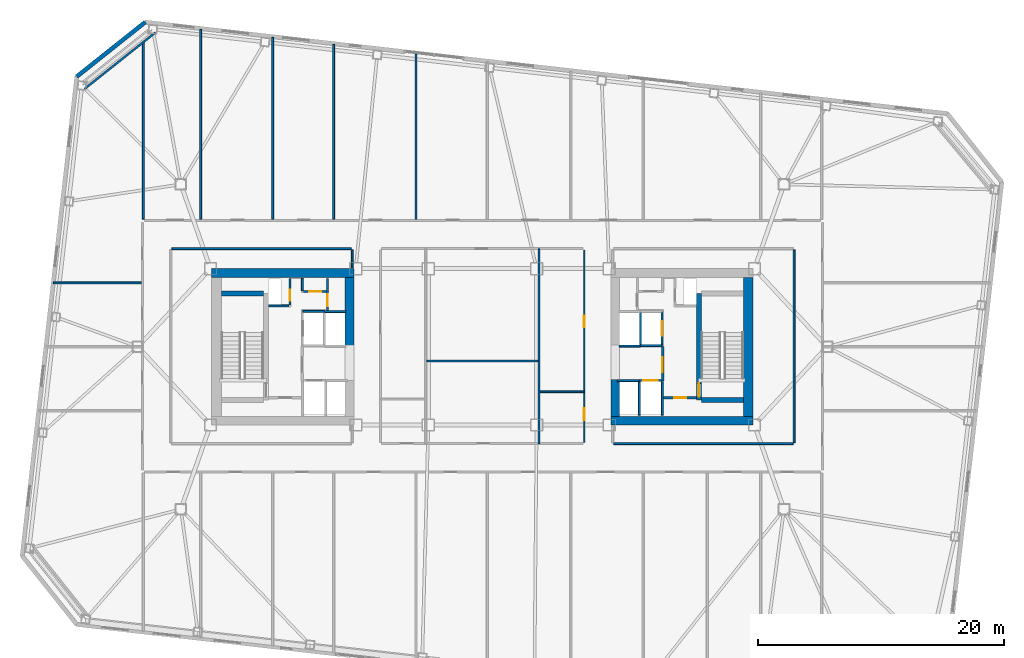
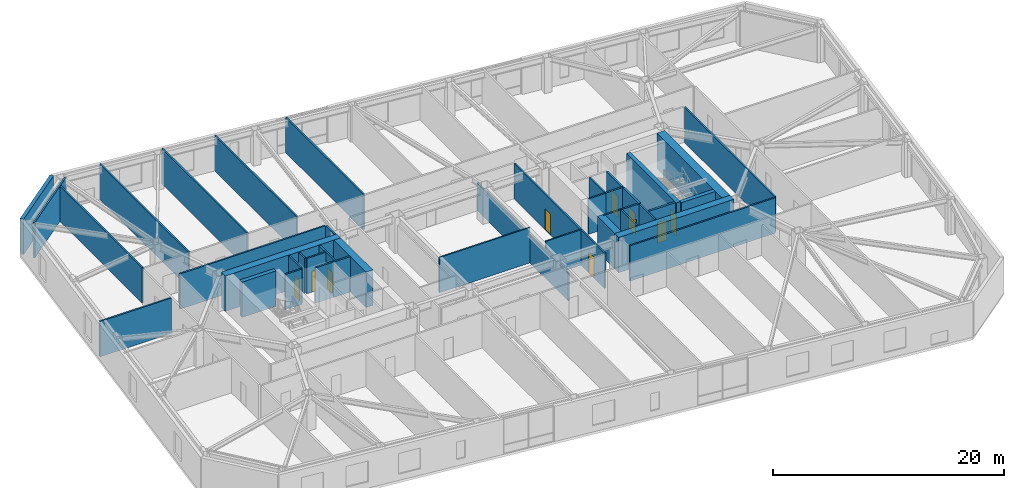
# One storey, part 13 of 21: 41 walls, 10 doors, 10 openings.
"""IFC4 building model written with IfcOpenShell, lengths in metres."""

from ifc_helpers import new_model, si_unit, direction, frame, frame_2d, origin, place, context, subcontext, project, spatial, rectangle, extrude, material, layer, layer_set, type_object, element, fill, save


model = new_model("IFC4")

# Units and contexts
model_context = context("Model", 3, precision=1e-05, world=origin(), true_north=direction((0.0, 1.0)))
body_context = subcontext(model_context, "Body", "Model", "MODEL_VIEW")
ifc_project = project(units=[si_unit("LENGTHUNIT", "METRE"), si_unit("AREAUNIT", "SQUARE_METRE"), si_unit("VOLUMEUNIT", "CUBIC_METRE"), si_unit("PLANEANGLEUNIT", "RADIAN"), si_unit("MASSUNIT", "GRAM", prefix="KILO")], contexts=[model_context])

# Site, building, storey
site_placement = place(None, origin())
site = spatial("IfcSite", under=ifc_project, at=site_placement, CompositionType="ELEMENT")
building_placement = place(site_placement, origin())
building = spatial("IfcBuilding", under=site, at=building_placement, Name="Tavrogorsk Clinical Tower", CompositionType="ELEMENT")
storey_placement = place(building_placement, frame((0.0, 0.0, 129.39990234375)))
storey = spatial("IfcBuildingStorey", under=building, at=storey_placement, Name="L29", CompositionType="ELEMENT", Elevation=129.39990234375)

# Wall, opening, door
ifc_material_1 = material(Name="Concrete B60", Category="concrete")
ifc_layer_1 = layer(ifc_material_1, 0.199951171875)
ifc_layer_set_1 = layer_set([ifc_layer_1], Name="Concrete B60")
wall_type_1 = type_object("IfcWallType", Name="CoreFireWall_200", PredefinedType="SOLIDWALL", material=ifc_layer_set_1)
wall_1_placement = place(storey_placement, frame((14.719970703125, -4.139892578125, 0.0), z_axis=(0.0, 0.0, 1.0), x_axis=(1.0, 0.0, 0.0)))
wall_1 = element("IfcWall", 1, at=wall_1_placement, inside=storey, type_object=wall_type_1, Name="L29 Core East South Core Room Fire Wall", PredefinedType="SOLIDWALL", context=body_context, shape_type="SweptSolid", body=[
    extrude(rectangle(XDim=2.659912109375, YDim=0.199951171875, at=frame_2d((1.330078125, 0.0))), origin(), (0.0, 0.0, 1.0), 3.739990234375),
])
opening_1_placement = place(wall_1_placement, frame((0.8798828125, 0.0, 0.0)))
opening_1 = element("IfcOpeningElement", 2, at=opening_1_placement, cuts=wall_1, Name="Opening ID-02", PredefinedType="OPENING", context=body_context, shape_type="SweptSolid", body=[
    extrude(rectangle(XDim=0.949951171875, YDim=2.199951171875, at=frame_2d((0.47509765625, 1.10009765625))), frame((0.0, 0.10986328125, 0.0), z_axis=(0.0, -1.0, 0.0), x_axis=(1.0, 0.0, 0.0)), (0.0, 0.0, 1.0), 0.219970703125),
])
ifc_material_2 = material(Name="Laminated timber leaf on aluminium frame", Category="wood")
door_type_1 = type_object("IfcDoorType", Name="InteriorDoor_ID02_950", OperationType="NOTDEFINED", PredefinedType="DOOR", material=ifc_material_2)
door_1_placement = place(opening_1_placement, origin())
door_1 = element("IfcDoor", 3, at=door_1_placement, inside=storey, type_object=door_type_1, Name="L29 Core East South Core Room Door", OperationType="SINGLE_SWING_LEFT", OverallHeight=2.199951171875, OverallWidth=0.949951171875, PredefinedType="DOOR", context=body_context, shape_type="SweptSolid", body=[
    extrude(rectangle(XDim=0.949951171875, YDim=2.199951171875, at=frame_2d((0.47509765625, 1.10009765625))), frame((0.0, 0.02490234375, 0.0), z_axis=(0.0, -1.0, 0.0), x_axis=(1.0, 0.0, 0.0)), (0.0, 0.0, 1.0), 0.050048828125),
])
fill(opening_1, door_1)

wall_2_placement = place(storey_placement, frame((14.639892578125, -2.780029296875, 0.0), z_axis=(0.0, 0.0, 1.0), x_axis=(0.0, 1.0, 0.0)))
wall_2 = element("IfcWall", 4, at=wall_2_placement, inside=storey, type_object=wall_type_1, Name="L29 Core East Firefighting Lobby Fire Wall", PredefinedType="SOLIDWALL", context=body_context, shape_type="SweptSolid", body=[
    extrude(rectangle(XDim=2.820068359375, YDim=0.199951171875, at=frame_2d((1.41015625, 0.0))), origin(), (0.0, 0.0, 1.0), 3.739990234375),
])
opening_2_placement = place(wall_2_placement, frame((0.72998046875, 0.0, 0.0)))
opening_2 = element("IfcOpeningElement", 5, at=opening_2_placement, cuts=wall_2, Name="Opening FD-01", PredefinedType="OPENING", context=body_context, shape_type="SweptSolid", body=[
    extrude(rectangle(XDim=1.199951171875, YDim=2.199951171875, at=frame_2d((0.60009765625, 1.10009765625))), frame((0.0, 0.10986328125, 0.0), z_axis=(0.0, -1.0, 0.0), x_axis=(1.0, 0.0, 0.0)), (0.0, 0.0, 1.0), 0.219970703125),
])
ifc_material_3 = material(Name="Galvanised steel fire-rated door assembly", Category="steel")
door_type_2 = type_object("IfcDoorType", Name="FireDoor_FD01_1200", OperationType="NOTDEFINED", PredefinedType="DOOR", material=ifc_material_3)
door_2_placement = place(opening_2_placement, origin())
door_2 = element("IfcDoor", 6, at=door_2_placement, inside=storey, type_object=door_type_2, Name="L29 Core East Firefighting Lobby Entry Door", OperationType="SINGLE_SWING_RIGHT", OverallHeight=2.199951171875, OverallWidth=1.199951171875, PredefinedType="DOOR", context=body_context, shape_type="SweptSolid", body=[
    extrude(rectangle(XDim=1.199951171875, YDim=2.199951171875, at=frame_2d((0.60009765625, 1.10009765625))), frame((0.0, 0.02490234375, 0.0), z_axis=(0.0, -1.0, 0.0), x_axis=(1.0, 0.0, 0.0)), (0.0, 0.0, 1.0), 0.050048828125),
])
fill(opening_2, door_2)

# Walls
ifc_material_4 = material(Name="Lightweight concrete blockwork B15", Category="masonry")
ifc_layer_2 = layer(ifc_material_4, 0.139892578125)
ifc_layer_set_2 = layer_set([ifc_layer_2], Name="Lightweight concrete blockwork B15")
wall_type_2 = type_object("IfcWallType", Name="PartitionWall_140", PredefinedType="PARTITIONING", material=ifc_layer_set_2)
wall_3_placement = place(storey_placement, frame((4.60009765625, -7.864990234375, 0.0), z_axis=(0.0, 0.0, 1.0), x_axis=(0.0, 1.0, 0.0)))
element("IfcWall", 7, at=wall_3_placement, inside=storey, type_object=wall_type_2, Name="L29 Central Spine Partition 2", PredefinedType="PARTITIONING", context=body_context, shape_type="SweptSolid", body=[
    extrude(rectangle(XDim=15.830078125, YDim=0.139892578125, at=frame_2d((7.9150390625, 0.0))), origin(), (0.0, 0.0, 1.0), 2.93505859375),
])
wall_4_placement = place(storey_placement, frame((-4.52490234375, -1.14990234375, 0.0), z_axis=(0.0, 0.0, 1.0), x_axis=(1.0, 0.0, 0.0)))
element("IfcWall", 8, at=wall_4_placement, inside=storey, type_object=wall_type_2, Name="L29 Central Spine Partition 3", PredefinedType="PARTITIONING", context=body_context, shape_type="SweptSolid", body=[
    extrude(rectangle(XDim=9.0498046875, YDim=0.139892578125, at=frame_2d((4.52490234375, 0.0))), origin(), (0.0, 0.0, 1.0), 3.739990234375),
])
wall_5_placement = place(storey_placement, frame((4.675048828125, -3.64990234375, 0.0), z_axis=(0.0, 0.0, 1.0), x_axis=(1.0, 0.0, 0.0)))
element("IfcWall", 9, at=wall_5_placement, inside=storey, type_object=wall_type_2, Name="L29 Central Spine Partition 5", PredefinedType="PARTITIONING", context=body_context, shape_type="SweptSolid", body=[
    extrude(rectangle(XDim=3.58984375, YDim=0.139892578125, at=frame_2d((1.794921875, 0.0))), origin(), (0.0, 0.0, 1.0), 3.739990234375),
])

# Wall, opening, door
ifc_material_5 = material(Name="Lightweight concrete blockwork B15", Category="masonry")
ifc_layer_3 = layer(ifc_material_5, 0.159912109375)
ifc_layer_set_3 = layer_set([ifc_layer_3], Name="Lightweight concrete blockwork B15")
wall_type_3 = type_object("IfcWallType", Name="PartitionWall_160", PredefinedType="PARTITIONING", material=ifc_layer_set_3)
wall_6_placement = place(storey_placement, frame((-12.580078125, 2.9599609375, 0.0), z_axis=(0.0, 0.0, 1.0), x_axis=(0.0, 1.0, 0.0)))
wall_6 = element("IfcWall", 10, at=wall_6_placement, inside=storey, type_object=wall_type_3, Name="L29 Core West Linen Closet Wall", PredefinedType="PARTITIONING", context=body_context, shape_type="SweptSolid", body=[
    extrude(rectangle(XDim=2.60009765625, YDim=0.159912109375, at=frame_2d((1.300048828125, 0.0))), origin(), (0.0, 0.0, 1.0), 3.739990234375),
])
opening_3_placement = place(wall_6_placement, frame((0.35009765625, 0.0, 0.0)))
opening_3 = element("IfcOpeningElement", 11, at=opening_3_placement, cuts=wall_6, Name="Opening ID-02", PredefinedType="OPENING", context=body_context, shape_type="SweptSolid", body=[
    extrude(rectangle(XDim=0.949951171875, YDim=2.199951171875, at=frame_2d((0.47509765625, 1.10009765625))), frame((0.0, 0.08984375, 0.0), z_axis=(0.0, -1.0, 0.0), x_axis=(1.0, 0.0, 0.0)), (0.0, 0.0, 1.0), 0.179931640625),
])
door_3_placement = place(opening_3_placement, origin())
door_3 = element("IfcDoor", 12, at=door_3_placement, inside=storey, type_object=door_type_1, Name="L29 Core West Linen Closet Door", OperationType="SINGLE_SWING_LEFT", OverallHeight=2.199951171875, OverallWidth=0.949951171875, PredefinedType="DOOR", context=body_context, shape_type="SweptSolid", body=[
    extrude(rectangle(XDim=0.949951171875, YDim=2.199951171875, at=frame_2d((0.47509765625, 1.10009765625))), frame((0.0, 0.02490234375, 0.0), z_axis=(0.0, -1.0, 0.0), x_axis=(1.0, 0.0, 0.0)), (0.0, 0.0, 1.0), 0.050048828125),
])
fill(opening_3, door_3)

wall_7_placement = place(storey_placement, frame((-14.554931640625, 4.47998046875, 0.0), z_axis=(0.0, 0.0, 1.0), x_axis=(1.0, 0.0, 0.0)))
wall_7 = element("IfcWall", 13, at=wall_7_placement, inside=storey, type_object=wall_type_3, Name="L29 Core West Housekeeping South Wall", PredefinedType="PARTITIONING", context=body_context, shape_type="SweptSolid", body=[
    extrude(rectangle(XDim=1.889892578125, YDim=0.159912109375, at=frame_2d((0.94482421875, 0.0))), origin(), (0.0, 0.0, 1.0), 3.739990234375),
])
opening_4_placement = place(wall_7_placement, frame((0.5, 0.0, 0.0)))
opening_4 = element("IfcOpeningElement", 14, at=opening_4_placement, cuts=wall_7, Name="Opening ID-02", PredefinedType="OPENING", context=body_context, shape_type="SweptSolid", body=[
    extrude(rectangle(XDim=0.949951171875, YDim=2.199951171875, at=frame_2d((0.47509765625, 1.10009765625))), frame((0.0, 0.08984375, 0.0), z_axis=(0.0, -1.0, 0.0), x_axis=(1.0, 0.0, 0.0)), (0.0, 0.0, 1.0), 0.179931640625),
])
door_4_placement = place(opening_4_placement, origin())
door_4 = element("IfcDoor", 15, at=door_4_placement, inside=storey, type_object=door_type_1, Name="L29 Core West Housekeeping Closet Door", OperationType="SINGLE_SWING_RIGHT", OverallHeight=2.199951171875, OverallWidth=0.949951171875, PredefinedType="DOOR", context=body_context, shape_type="SweptSolid", body=[
    extrude(rectangle(XDim=0.949951171875, YDim=2.199951171875, at=frame_2d((0.47509765625, 1.10009765625))), frame((0.0, 0.02490234375, 0.0), z_axis=(0.0, -1.0, 0.0), x_axis=(1.0, 0.0, 0.0)), (0.0, 0.0, 1.0), 0.050048828125),
])
fill(opening_4, door_4)

# Walls
wall_8_placement = place(storey_placement, frame((-14.639892578125, 4.56494140625, 0.0), z_axis=(0.0, 0.0, 1.0), x_axis=(0.0, 1.0, 0.0)))
element("IfcWall", 16, at=wall_8_placement, inside=storey, type_object=wall_type_3, Name="L29 Core West Housekeeping East Wall", PredefinedType="PARTITIONING", context=body_context, shape_type="SweptSolid", body=[
    extrude(rectangle(XDim=0.9951171875, YDim=0.159912109375, at=frame_2d((0.49755859375, 0.0))), origin(), (0.0, 0.0, 1.0), 3.739990234375),
])
wall_9_placement = place(storey_placement, frame((-26.5712890625, 25.534912109375, 0.0), z_axis=(0.0, 0.0, 1.0), x_axis=(-0.782617962887, -0.622502308564, 0.0)))
element("IfcWall", 17, at=wall_9_placement, inside=storey, type_object=wall_type_3, Name="L29 Corner Exoskeleton Brace Furring Wall 3", PredefinedType="PARTITIONING", context=body_context, shape_type="SweptSolid", body=[
    extrude(rectangle(XDim=7.35400390625, YDim=0.159912109375, at=frame_2d((3.677001953125, 0.0))), origin(), (0.0, 0.0, 1.0), 3.739990234375),
])
wall_10_placement = place(storey_placement, frame((10.6650390625, -7.8701171875, 0.0), z_axis=(0.0, 0.0, 1.0), x_axis=(1.0, 0.0, 0.0)))
element("IfcWall", 18, at=wall_10_placement, inside=storey, type_object=wall_type_3, Name="L29 Corridor Partition 08", PredefinedType="PARTITIONING", context=body_context, shape_type="SweptSolid", body=[
    extrude(rectangle(XDim=14.570068359375, YDim=0.159912109375, at=frame_2d((7.28515625, 0.0))), origin(), (0.0, 0.0, 1.0), 3.739990234375),
])
wall_11_placement = place(storey_placement, frame((25.320068359375, -7.784912109375, 0.0), z_axis=(0.0, 0.0, 1.0), x_axis=(0.0, 1.0, 0.0)))
element("IfcWall", 19, at=wall_11_placement, inside=storey, type_object=wall_type_3, Name="L29 Corridor Partition 09", PredefinedType="PARTITIONING", context=body_context, shape_type="SweptSolid", body=[
    extrude(rectangle(XDim=15.669921875, YDim=0.159912109375, at=frame_2d((7.8349609375, 0.0))), origin(), (0.0, 0.0, 1.0), 3.739990234375),
])

# Wall, openings, doors
wall_12_placement = place(storey_placement, frame((8.27001953125, -7.784912109375, 0.0), z_axis=(0.0, 0.0, 1.0), x_axis=(0.0, 1.0, 0.0)))
wall_12 = element("IfcWall", 20, at=wall_12_placement, inside=storey, type_object=wall_type_3, Name="L29 Corridor Partition 10", PredefinedType="PARTITIONING", context=body_context, shape_type="SweptSolid", body=[
    extrude(rectangle(XDim=15.669921875, YDim=0.159912109375, at=frame_2d((7.8349609375, 0.0))), origin(), (0.0, 0.0, 1.0), 3.739990234375),
])
opening_5_placement = place(wall_12_placement, frame((1.8291015625, 0.0, 0.0)))
opening_5 = element("IfcOpeningElement", 21, at=opening_5_placement, cuts=wall_12, Name="Opening ID-02", PredefinedType="OPENING", context=body_context, shape_type="SweptSolid", body=[
    extrude(rectangle(XDim=0.949951171875, YDim=2.199951171875, at=frame_2d((0.47509765625, 1.10009765625))), frame((0.0, 0.08984375, 0.0), z_axis=(0.0, -1.0, 0.0), x_axis=(1.0, 0.0, 0.0)), (0.0, 0.0, 1.0), 0.179931640625),
])
opening_6_placement = place(wall_12_placement, frame((9.36083984375, 0.0, 0.0)))
opening_6 = element("IfcOpeningElement", 22, at=opening_6_placement, cuts=wall_12, Name="Opening ID-02", PredefinedType="OPENING", context=body_context, shape_type="SweptSolid", body=[
    extrude(rectangle(XDim=0.949951171875, YDim=2.199951171875, at=frame_2d((0.47509765625, 1.10009765625))), frame((0.0, 0.08984375, 0.0), z_axis=(0.0, -1.0, 0.0), x_axis=(1.0, 0.0, 0.0)), (0.0, 0.0, 1.0), 0.179931640625),
])
door_5_placement = place(opening_5_placement, origin())
door_5 = element("IfcDoor", 23, at=door_5_placement, inside=storey, type_object=door_type_1, Name="L29 Staff & Visitor Accessible WC Door", OperationType="SINGLE_SWING_RIGHT", OverallHeight=2.199951171875, OverallWidth=0.949951171875, PredefinedType="DOOR", context=body_context, shape_type="SweptSolid", body=[
    extrude(rectangle(XDim=0.949951171875, YDim=2.199951171875, at=frame_2d((0.47509765625, 1.10009765625))), frame((0.0, 0.02490234375, 0.0), z_axis=(0.0, -1.0, 0.0), x_axis=(1.0, 0.0, 0.0)), (0.0, 0.0, 1.0), 0.050048828125),
])
fill(opening_5, door_5)
door_6_placement = place(opening_6_placement, origin())
door_6 = element("IfcDoor", 24, at=door_6_placement, inside=storey, type_object=door_type_1, Name="L29 Attending Physician Office Door", OperationType="SINGLE_SWING_LEFT", OverallHeight=2.199951171875, OverallWidth=0.949951171875, PredefinedType="DOOR", context=body_context, shape_type="SweptSolid", body=[
    extrude(rectangle(XDim=0.949951171875, YDim=2.199951171875, at=frame_2d((0.47509765625, 1.10009765625))), frame((0.0, 0.02490234375, 0.0), z_axis=(0.0, -1.0, 0.0), x_axis=(1.0, 0.0, 0.0)), (0.0, 0.0, 1.0), 0.050048828125),
])
fill(opening_6, door_6)

# Walls
wall_13_placement = place(storey_placement, frame((-10.580078125, 6.419921875, 0.0), z_axis=(0.0, 0.0, 1.0), x_axis=(0.0, 1.0, 0.0)))
element("IfcWall", 25, at=wall_13_placement, inside=storey, type_object=wall_type_3, Name="L29 Corridor Partition 15", PredefinedType="PARTITIONING", context=body_context, shape_type="SweptSolid", body=[
    extrude(rectangle(XDim=1.465087890625, YDim=0.159912109375, at=frame_2d((0.732421875, 0.0))), origin(), (0.0, 0.0, 1.0), 3.739990234375),
])
wall_14_placement = place(storey_placement, frame((-10.6650390625, 7.969970703125, 0.0), z_axis=(0.0, 0.0, 1.0), x_axis=(-1.0, 0.0, 0.0)))
element("IfcWall", 26, at=wall_14_placement, inside=storey, type_object=wall_type_3, Name="L29 Corridor Partition 16", PredefinedType="PARTITIONING", context=body_context, shape_type="SweptSolid", body=[
    extrude(rectangle(XDim=14.570068359375, YDim=0.159912109375, at=frame_2d((7.28515625, 0.0))), origin(), (0.0, 0.0, 1.0), 3.739990234375),
])
wall_15_placement = place(storey_placement, frame((-27.550048828125, 10.364990234375, 0.0), z_axis=(0.0, 0.0, 1.0), x_axis=(0.0, 1.0, 0.0)))
element("IfcWall", 27, at=wall_15_placement, inside=storey, type_object=wall_type_3, Name="L29 NW Wing Closure Partition", PredefinedType="PARTITIONING", context=body_context, shape_type="SweptSolid", body=[
    extrude(rectangle(XDim=14.40869140625, YDim=0.159912109375, at=frame_2d((7.204345703125, 0.0))), origin(), (0.0, 0.0, 1.0), 3.739990234375),
])
wall_16_placement = place(storey_placement, frame((-22.89990234375, 10.364990234375, 0.0), z_axis=(0.0, 0.0, 1.0), x_axis=(0.0, 1.0, 0.0)))
element("IfcWall", 28, at=wall_16_placement, inside=storey, type_object=wall_type_3, Name="L29 North Room Partition 1", PredefinedType="PARTITIONING", context=body_context, shape_type="SweptSolid", body=[
    extrude(rectangle(XDim=15.4365234375, YDim=0.159912109375, at=frame_2d((7.71826171875, 0.0))), origin(), (0.0, 0.0, 1.0), 3.739990234375),
])
wall_17_placement = place(storey_placement, frame((-12.10009765625, 10.364990234375, 0.0), z_axis=(0.0, 0.0, 1.0), x_axis=(0.0, 1.0, 0.0)))
element("IfcWall", 29, at=wall_17_placement, inside=storey, type_object=wall_type_3, Name="L29 North Room Partition 2", PredefinedType="PARTITIONING", context=body_context, shape_type="SweptSolid", body=[
    extrude(rectangle(XDim=14.2060546875, YDim=0.159912109375, at=frame_2d((7.10302734375, 0.0))), origin(), (0.0, 0.0, 1.0), 3.739990234375),
])
wall_18_placement = place(storey_placement, frame((-17.050048828125, 10.364990234375, 0.0), z_axis=(0.0, 0.0, 1.0), x_axis=(0.0, 1.0, 0.0)))
element("IfcWall", 30, at=wall_18_placement, inside=storey, type_object=wall_type_3, Name="L29 North Sub-Partition 2", PredefinedType="PARTITIONING", context=body_context, shape_type="SweptSolid", body=[
    extrude(rectangle(XDim=14.77001953125, YDim=0.159912109375, at=frame_2d((7.385009765625, 0.0))), origin(), (0.0, 0.0, 1.0), 3.739990234375),
])
wall_19_placement = place(storey_placement, frame((-5.39990234375, 10.364990234375, 0.0), z_axis=(0.0, 0.0, 1.0), x_axis=(0.0, 1.0, 0.0)))
element("IfcWall", 31, at=wall_19_placement, inside=storey, type_object=wall_type_3, Name="L29 North Sub-Partition 3", PredefinedType="PARTITIONING", context=body_context, shape_type="SweptSolid", body=[
    extrude(rectangle(XDim=13.442626953125, YDim=0.159912109375, at=frame_2d((6.72119140625, 0.0))), origin(), (0.0, 0.0, 1.0), 3.739990234375),
])
wall_20_placement = place(storey_placement, frame((-34.857177734375, 5.199951171875, 0.0), z_axis=(0.0, 0.0, 1.0), x_axis=(1.0, 0.0, 0.0)))
element("IfcWall", 32, at=wall_20_placement, inside=storey, type_object=wall_type_3, Name="L29 W Wing Divider 3", PredefinedType="PARTITIONING", context=body_context, shape_type="SweptSolid", body=[
    extrude(rectangle(XDim=7.14208984375, YDim=0.159912109375, at=frame_2d((3.571044921875, 0.0))), origin(), (0.0, 0.0, 1.0), 3.739990234375),
])
ifc_material_6 = material(Name="Precast concrete B45 with limestone cladding", Category="masonry")
ifc_layer_4 = layer(ifc_material_6, 0.340087890625)
ifc_layer_set_4 = layer_set([ifc_layer_4], Name="Precast concrete B45 with limestone cladding")
wall_type_4 = type_object("IfcWallType", Name="PrecastLimestoneWall_340", PredefinedType="STANDARD", material=ifc_layer_set_4)
wall_21_placement = place(storey_placement, frame((-27.40087890625, 26.384765625, 0.0), z_axis=(0.0, 0.0, 1.0), x_axis=(-0.78261359446, -0.622507800567, 0.0)))
element("IfcWall", 33, at=wall_21_placement, inside=storey, type_object=wall_type_4, Name="L29 Chamfered Corner Wall 3", PredefinedType="STANDARD", context=body_context, shape_type="SweptSolid", body=[
    extrude(rectangle(XDim=7.113525390625, YDim=0.340087890625, at=frame_2d((3.556640625, 0.0))), origin(), (0.0, 0.0, 1.0), 3.739990234375),
])
ifc_material_7 = material(Name="Lightweight concrete blockwork B25", Category="masonry")
ifc_layer_5 = layer(ifc_material_7, 0.159912109375)
ifc_layer_set_5 = layer_set([ifc_layer_5], Name="Lightweight concrete blockwork B25")
wall_type_5 = type_object("IfcWallType", Name="ShaftWall_160", PredefinedType="PARTITIONING", material=ifc_layer_set_5)
wall_22_placement = place(storey_placement, frame((-14.60009765625, 2.8798828125, 0.0), z_axis=(0.0, 0.0, 1.0), x_axis=(1.0, 0.0, 0.0)))
element("IfcWall", 34, at=wall_22_placement, inside=storey, type_object=wall_type_5, Name="L29 FFL-W Shaft North Wall", PredefinedType="PARTITIONING", context=body_context, shape_type="SweptSolid", body=[
    extrude(rectangle(XDim=1.760009765625, YDim=0.159912109375, at=frame_2d((0.8798828125, 0.0))), origin(), (0.0, 0.0, 1.0), 3.739990234375),
])
wall_23_placement = place(storey_placement, frame((-12.820068359375, 2.860107421875, 0.0), z_axis=(0.0, 0.0, 1.0), x_axis=(1.0, 0.0, 0.0)))
element("IfcWall", 35, at=wall_23_placement, inside=storey, type_object=wall_type_5, Name="L29 LP-H1 High-Zone Lift Rear Wall", PredefinedType="PARTITIONING", context=body_context, shape_type="SweptSolid", body=[
    extrude(rectangle(XDim=1.719970703125, YDim=0.159912109375, at=frame_2d((0.85986328125, 0.0))), origin(), (0.0, 0.0, 1.0), 3.739990234375),
])

# Wall, opening, door
wall_24_placement = place(storey_placement, frame((14.60009765625, 0.1201171875, 0.0), z_axis=(0.0, 0.0, 1.0), x_axis=(0.0, 1.0, 0.0)))
wall_24 = element("IfcWall", 36, at=wall_24_placement, inside=storey, type_object=wall_type_5, Name="L29 FFL-E Firefighting Lift Front Wall", PredefinedType="PARTITIONING", context=body_context, shape_type="SweptSolid", body=[
    extrude(rectangle(XDim=2.739990234375, YDim=0.159912109375, at=frame_2d((1.3701171875, 0.0))), origin(), (0.0, 0.0, 1.0), 3.739990234375),
])
opening_7_placement = place(wall_24_placement, frame((0.77001953125, 0.0, 0.0)))
opening_7 = element("IfcOpeningElement", 37, at=opening_7_placement, cuts=wall_24, Name="Opening LD", PredefinedType="OPENING", context=body_context, shape_type="SweptSolid", body=[
    extrude(rectangle(XDim=1.199951171875, YDim=2.199951171875, at=frame_2d((0.60009765625, 1.10009765625))), frame((0.0, 0.08984375, 0.0), z_axis=(0.0, -1.0, 0.0), x_axis=(1.0, 0.0, 0.0)), (0.0, 0.0, 1.0), 0.179931640625),
])
ifc_material_8 = material(Name="Brushed stainless steel AISI 304 sliding doors", Category="steel")
door_type_3 = type_object("IfcDoorType", Name="LiftLandingDoor_LD_1200", OperationType="SLIDING_TO_LEFT", PredefinedType="DOOR", material=ifc_material_8)
door_7_placement = place(opening_7_placement, origin())
door_7 = element("IfcDoor", 38, at=door_7_placement, inside=storey, type_object=door_type_3, Name="L29 FFL-E Sliding Lift Landing Door", OperationType="SLIDING_TO_LEFT", OverallHeight=2.199951171875, OverallWidth=1.199951171875, PredefinedType="DOOR", context=body_context, shape_type="SweptSolid", body=[
    extrude(rectangle(XDim=1.199951171875, YDim=2.199951171875, at=frame_2d((0.60009765625, 1.10009765625))), frame((0.0, 0.02490234375, 0.0), z_axis=(0.0, -1.0, 0.0), x_axis=(1.0, 0.0, 0.0)), (0.0, 0.0, 1.0), 0.050048828125),
])
fill(opening_7, door_7)

# Walls
wall_25_placement = place(storey_placement, frame((12.840087890625, 0.10009765625, 0.0), z_axis=(0.0, 0.0, 1.0), x_axis=(1.0, 0.0, 0.0)))
element("IfcWall", 39, at=wall_25_placement, inside=storey, type_object=wall_type_5, Name="L29 FFL-E Shaft South Wall", PredefinedType="PARTITIONING", context=body_context, shape_type="SweptSolid", body=[
    extrude(rectangle(XDim=1.760009765625, YDim=0.159912109375, at=frame_2d((0.8798828125, 0.0))), origin(), (0.0, 0.0, 1.0), 3.739990234375),
])
wall_26_placement = place(storey_placement, frame((12.840087890625, 0.179931640625, 0.0), z_axis=(0.0, 0.0, 1.0), x_axis=(0.0, 1.0, 0.0)))
element("IfcWall", 40, at=wall_26_placement, inside=storey, type_object=wall_type_5, Name="L29 FFL-E Shaft Back Wall", PredefinedType="PARTITIONING", context=body_context, shape_type="SweptSolid", body=[
    extrude(rectangle(XDim=2.6201171875, YDim=0.159912109375, at=frame_2d((1.31005859375, 0.0))), origin(), (0.0, 0.0, 1.0), 3.739990234375),
])

# Wall, opening, door
wall_27_placement = place(storey_placement, frame((12.77001953125, -2.75, 0.0), z_axis=(0.0, 0.0, 1.0), x_axis=(1.0, 0.0, 0.0)))
wall_27 = element("IfcWall", 41, at=wall_27_placement, inside=storey, type_object=wall_type_5, Name="L29 LP-L2 Lift Shaft Portal Wall", PredefinedType="PARTITIONING", context=body_context, shape_type="SweptSolid", body=[
    extrude(rectangle(XDim=1.760009765625, YDim=0.159912109375, at=frame_2d((0.8798828125, 0.0))), origin(), (0.0, 0.0, 1.0), 3.739990234375),
])
opening_8_placement = place(wall_27_placement, frame((0.280029296875, 0.0, 0.0)))
opening_8 = element("IfcOpeningElement", 42, at=opening_8_placement, cuts=wall_27, Name="Opening LD", PredefinedType="OPENING", context=body_context, shape_type="SweptSolid", body=[
    extrude(rectangle(XDim=1.199951171875, YDim=2.199951171875, at=frame_2d((0.60009765625, 1.10009765625))), frame((0.0, 0.08984375, 0.0), z_axis=(0.0, -1.0, 0.0), x_axis=(1.0, 0.0, 0.0)), (0.0, 0.0, 1.0), 0.179931640625),
])
door_8_placement = place(opening_8_placement, origin())
door_8 = element("IfcDoor", 43, at=door_8_placement, inside=storey, type_object=door_type_3, Name="L29 LP-L2 Sliding Lift Landing Door", OperationType="SLIDING_TO_LEFT", OverallHeight=2.199951171875, OverallWidth=1.199951171875, PredefinedType="DOOR", context=body_context, shape_type="SweptSolid", body=[
    extrude(rectangle(XDim=1.199951171875, YDim=2.199951171875, at=frame_2d((0.60009765625, 1.10009765625))), frame((0.0, 0.02490234375, 0.0), z_axis=(0.0, -1.0, 0.0), x_axis=(1.0, 0.0, 0.0)), (0.0, 0.0, 1.0), 0.050048828125),
])
fill(opening_8, door_8)

# Walls
for number, where, z_axis, x_axis, name in (
    (44, (12.75, -5.5400390625, 0.0), (0.0, 0.0, 1.0), (0.0, 1.0, 0.0), "L29 LP-L2 Lift Hoistway Divider Wall"),
    (45, (14.610107421875, -5.5400390625, 0.0), (0.0, 0.0, 1.0), (0.0, 1.0, 0.0), "L29 LP-L2 Lift Hoistway Outer Cheek Wall"),
):
    element("IfcWall", number, at=place(storey_placement, frame(where, z_axis=z_axis, x_axis=x_axis)), inside=storey, type_object=wall_type_5, Name=name, PredefinedType="PARTITIONING", context=body_context, shape_type="SweptSolid", body=[
        extrude(rectangle(XDim=2.699951171875, YDim=0.159912109375, at=frame_2d((1.35009765625, 0.0))), origin(), (0.0, 0.0, 1.0), 3.739990234375),
    ])
wall_28_placement = place(storey_placement, frame((10.969970703125, -2.75, 0.0), z_axis=(0.0, 0.0, 1.0), x_axis=(1.0, 0.0, 0.0)))
element("IfcWall", 46, at=wall_28_placement, inside=storey, type_object=wall_type_5, Name="L29 LP-M2 Lift Shaft Portal Wall", PredefinedType="PARTITIONING", context=body_context, shape_type="SweptSolid", body=[
    extrude(rectangle(XDim=1.760009765625, YDim=0.159912109375, at=frame_2d((0.8798828125, 0.0))), origin(), (0.0, 0.0, 1.0), 3.739990234375),
])
wall_29_placement = place(storey_placement, frame((11.10009765625, 0.06005859375, 0.0), z_axis=(0.0, 0.0, 1.0), x_axis=(1.0, 0.0, 0.0)))
element("IfcWall", 47, at=wall_29_placement, inside=storey, type_object=wall_type_5, Name="L29 LP-H2 High-Zone Lift Portal Wall", PredefinedType="PARTITIONING", context=body_context, shape_type="SweptSolid", body=[
    extrude(rectangle(XDim=1.719970703125, YDim=0.159912109375, at=frame_2d((0.85986328125, 0.0))), origin(), (0.0, 0.0, 1.0), 3.739990234375),
])

# Wall, opening, door
wall_30_placement = place(storey_placement, frame((-15.639892578125, 3.405029296875, 0.0), z_axis=(0.0, 0.0, 1.0), x_axis=(0.0, 1.0, 0.0)))
wall_30 = element("IfcWall", 48, at=wall_30_placement, inside=storey, type_object=wall_type_5, Name="L29 Core West Riser West Wall", PredefinedType="PARTITIONING", context=body_context, shape_type="SweptSolid", body=[
    extrude(rectangle(XDim=2.155029296875, YDim=0.159912109375, at=frame_2d((1.07763671875, 0.0))), origin(), (0.0, 0.0, 1.0), 3.739990234375),
])
opening_9_placement = place(wall_30_placement, frame((0.35009765625, 0.0, 0.0)))
opening_9 = element("IfcOpeningElement", 49, at=opening_9_placement, cuts=wall_30, Name="Opening FD-02", PredefinedType="OPENING", context=body_context, shape_type="SweptSolid", body=[
    extrude(rectangle(XDim=0.89990234375, YDim=2.199951171875, at=frame_2d((0.449951171875, 1.10009765625))), frame((0.0, 0.08984375, 0.0), z_axis=(0.0, -1.0, 0.0), x_axis=(1.0, 0.0, 0.0)), (0.0, 0.0, 1.0), 0.179931640625),
])
ifc_material_9 = material(Name="Galvanised steel fire-rated door assembly", Category="steel")
door_type_4 = type_object("IfcDoorType", Name="FireDoor_FD02_900", OperationType="NOTDEFINED", PredefinedType="DOOR", material=ifc_material_9)
door_9_placement = place(opening_9_placement, origin())
door_9 = element("IfcDoor", 50, at=door_9_placement, inside=storey, type_object=door_type_4, Name="L29 Core West Electrical Riser Access Door", OperationType="SINGLE_SWING_LEFT", OverallHeight=2.199951171875, OverallWidth=0.89990234375, PredefinedType="DOOR", context=body_context, shape_type="SweptSolid", body=[
    extrude(rectangle(XDim=0.89990234375, YDim=2.199951171875, at=frame_2d((0.449951171875, 1.10009765625))), frame((0.0, 0.02490234375, 0.0), z_axis=(0.0, -1.0, 0.0), x_axis=(1.0, 0.0, 0.0)), (0.0, 0.0, 1.0), 0.050048828125),
])
fill(opening_9, door_9)

# Walls
wall_31_placement = place(storey_placement, frame((-17.3798828125, 3.320068359375, 0.0), z_axis=(0.0, 0.0, 1.0), x_axis=(1.0, 0.0, 0.0)))
element("IfcWall", 51, at=wall_31_placement, inside=storey, type_object=wall_type_5, Name="L29 Core West Riser South Wall", PredefinedType="PARTITIONING", context=body_context, shape_type="SweptSolid", body=[
    extrude(rectangle(XDim=1.65478515625, YDim=0.159912109375, at=frame_2d((0.827392578125, 0.0))), origin(), (0.0, 0.0, 1.0), 3.739990234375),
])
ifc_material_10 = material(Name="Concrete B80", Category="concrete")
ifc_layer_6 = layer(ifc_material_10, 0.39990234375)
ifc_layer_set_6 = layer_set([ifc_layer_6], Name="Concrete B80")
wall_type_6 = type_object("IfcWallType", Name="ShearWall_400", PredefinedType="SHEAR", material=ifc_layer_set_6)
wall_32_placement = place(storey_placement, frame((-21.199951171875, 4.324951171875, 0.0), z_axis=(0.0, 0.0, 1.0), x_axis=(1.0, 0.0, 0.0)))
element("IfcWall", 52, at=wall_32_placement, inside=storey, type_object=wall_type_6, Name="L29 Core West Stair Shaft North Shear Wall", PredefinedType="SHEAR", context=body_context, shape_type="SweptSolid", body=[
    extrude(rectangle(XDim=3.39990234375, YDim=0.39990234375, at=frame_2d((1.699951171875, 0.0))), origin(), (0.0, 0.0, 1.0), 3.739990234375),
])

# Wall, opening, door
wall_33_placement = place(storey_placement, frame((17.60009765625, -4.324951171875, 0.0), z_axis=(0.0, 0.0, 1.0), x_axis=(0.0, 1.0, 0.0)))
wall_33 = element("IfcWall", 53, at=wall_33_placement, inside=storey, type_object=wall_type_6, Name="L29 Core East Stair Shaft Inner Shear Wall", PredefinedType="SHEAR", context=body_context, shape_type="SweptSolid", body=[
    extrude(rectangle(XDim=8.64990234375, YDim=0.39990234375, at=frame_2d((4.324951171875, 0.0))), origin(), (0.0, 0.0, 1.0), 3.739990234375),
])
opening_10_placement = place(wall_33_placement, frame((0.25, 0.0, 0.0)))
opening_10 = element("IfcOpeningElement", 54, at=opening_10_placement, cuts=wall_33, Name="Opening SD-01", PredefinedType="OPENING", context=body_context, shape_type="SweptSolid", body=[
    extrude(rectangle(XDim=1.10009765625, YDim=2.199951171875, at=frame_2d((0.550048828125, 1.10009765625))), frame((0.0, 0.2099609375, 0.0), z_axis=(0.0, -1.0, 0.0), x_axis=(1.0, 0.0, 0.0)), (0.0, 0.0, 1.0), 0.419921875),
])
ifc_material_11 = material(Name="Galvanised steel smoke-tight fire door assembly", Category="steel")
door_type_5 = type_object("IfcDoorType", Name="StairFireDoor_SD01_1100", OperationType="NOTDEFINED", PredefinedType="DOOR", material=ifc_material_11)
door_10_placement = place(opening_10_placement, origin())
door_10 = element("IfcDoor", 55, at=door_10_placement, inside=storey, type_object=door_type_5, Name="L29 ST-E Exit Stair Door", OperationType="SINGLE_SWING_LEFT", OverallHeight=2.199951171875, OverallWidth=1.10009765625, PredefinedType="DOOR", context=body_context, shape_type="SweptSolid", body=[
    extrude(rectangle(XDim=1.10009765625, YDim=2.199951171875, at=frame_2d((0.550048828125, 1.10009765625))), frame((0.0, 0.02490234375, 0.0), z_axis=(0.0, -1.0, 0.0), x_axis=(1.0, 0.0, 0.0)), (0.0, 0.0, 1.0), 0.050048828125),
])
fill(opening_10, door_10)

# Walls
wall_34_placement = place(storey_placement, frame((17.800048828125, -4.324951171875, 0.0), z_axis=(0.0, 0.0, 1.0), x_axis=(1.0, 0.0, 0.0)))
element("IfcWall", 56, at=wall_34_placement, inside=storey, type_object=wall_type_6, Name="L29 Core East Stair Shaft South Shear Wall", PredefinedType="SHEAR", context=body_context, shape_type="SweptSolid", body=[
    extrude(rectangle(XDim=3.39990234375, YDim=0.39990234375, at=frame_2d((1.699951171875, 0.0))), origin(), (0.0, 0.0, 1.0), 3.739990234375),
])
ifc_material_12 = material(Name="Concrete B80", Category="concrete")
ifc_layer_7 = layer(ifc_material_12, 0.699951171875)
ifc_layer_set_7 = layer_set([ifc_layer_7], Name="Concrete B80")
wall_type_7 = type_object("IfcWallType", Name="ShearWall_700", PredefinedType="SHEAR", material=ifc_layer_set_7)
wall_35_placement = place(storey_placement, frame((-22.0, 6.0, 0.0), z_axis=(0.0, 0.0, 1.0), x_axis=(1.0, 0.0, 0.0)))
element("IfcWall", 57, at=wall_35_placement, inside=storey, type_object=wall_type_7, Name="L29 Core West North Shear Wall", PredefinedType="SHEAR", context=body_context, shape_type="SweptSolid", body=[
    extrude(rectangle(XDim=11.550048828125, YDim=0.699951171875, at=frame_2d((5.77490234375, 0.0))), origin(), (0.0, 0.0, 1.0), 3.739990234375),
])
wall_36_placement = place(storey_placement, frame((-10.800048828125, 0.050048828125, 0.0), z_axis=(0.0, 0.0, 1.0), x_axis=(0.0, 1.0, 0.0)))
element("IfcWall", 58, at=wall_36_placement, inside=storey, type_object=wall_type_7, Name="L29 Core West Inner North Pier", PredefinedType="SHEAR", context=body_context, shape_type="SweptSolid", body=[
    extrude(rectangle(XDim=5.599853515625, YDim=0.699951171875, at=frame_2d((2.7998046875, 0.0))), origin(), (0.0, 0.0, 1.0), 3.739990234375),
])
wall_37_placement = place(storey_placement, frame((10.449951171875, -6.0, 0.0), z_axis=(0.0, 0.0, 1.0), x_axis=(1.0, 0.0, 0.0)))
element("IfcWall", 59, at=wall_37_placement, inside=storey, type_object=wall_type_7, Name="L29 Core East South Shear Wall", PredefinedType="SHEAR", context=body_context, shape_type="SweptSolid", body=[
    extrude(rectangle(XDim=11.550048828125, YDim=0.699951171875, at=frame_2d((5.77490234375, 0.0))), origin(), (0.0, 0.0, 1.0), 3.739990234375),
])
wall_38_placement = place(storey_placement, frame((10.800048828125, -5.64990234375, 0.0), z_axis=(0.0, 0.0, 1.0), x_axis=(0.0, 1.0, 0.0)))
element("IfcWall", 60, at=wall_38_placement, inside=storey, type_object=wall_type_7, Name="L29 Core East Inner South Pier", PredefinedType="SHEAR", context=body_context, shape_type="SweptSolid", body=[
    extrude(rectangle(XDim=3.0, YDim=0.699951171875, at=frame_2d((1.5, 0.0))), origin(), (0.0, 0.0, 1.0), 3.739990234375),
])
ifc_material_13 = material(Name="Concrete B80", Category="concrete")
ifc_layer_8 = layer(ifc_material_13, 0.800048828125)
ifc_layer_set_8 = layer_set([ifc_layer_8], Name="Concrete B80")
wall_type_8 = type_object("IfcWallType", Name="ShearWall_800", PredefinedType="SHEAR", material=ifc_layer_set_8)
wall_39_placement = place(storey_placement, frame((21.60009765625, -5.64990234375, 0.0), z_axis=(0.0, 0.0, 1.0), x_axis=(0.0, 1.0, 0.0)))
element("IfcWall", 61, at=wall_39_placement, inside=storey, type_object=wall_type_8, Name="L29 Core East End Shear Wall", PredefinedType="SHEAR", context=body_context, shape_type="SweptSolid", body=[
    extrude(rectangle(XDim=11.2998046875, YDim=0.800048828125, at=frame_2d((5.64990234375, 0.0))), origin(), (0.0, 0.0, 1.0), 3.739990234375),
])

save(model, "model.ifc")
